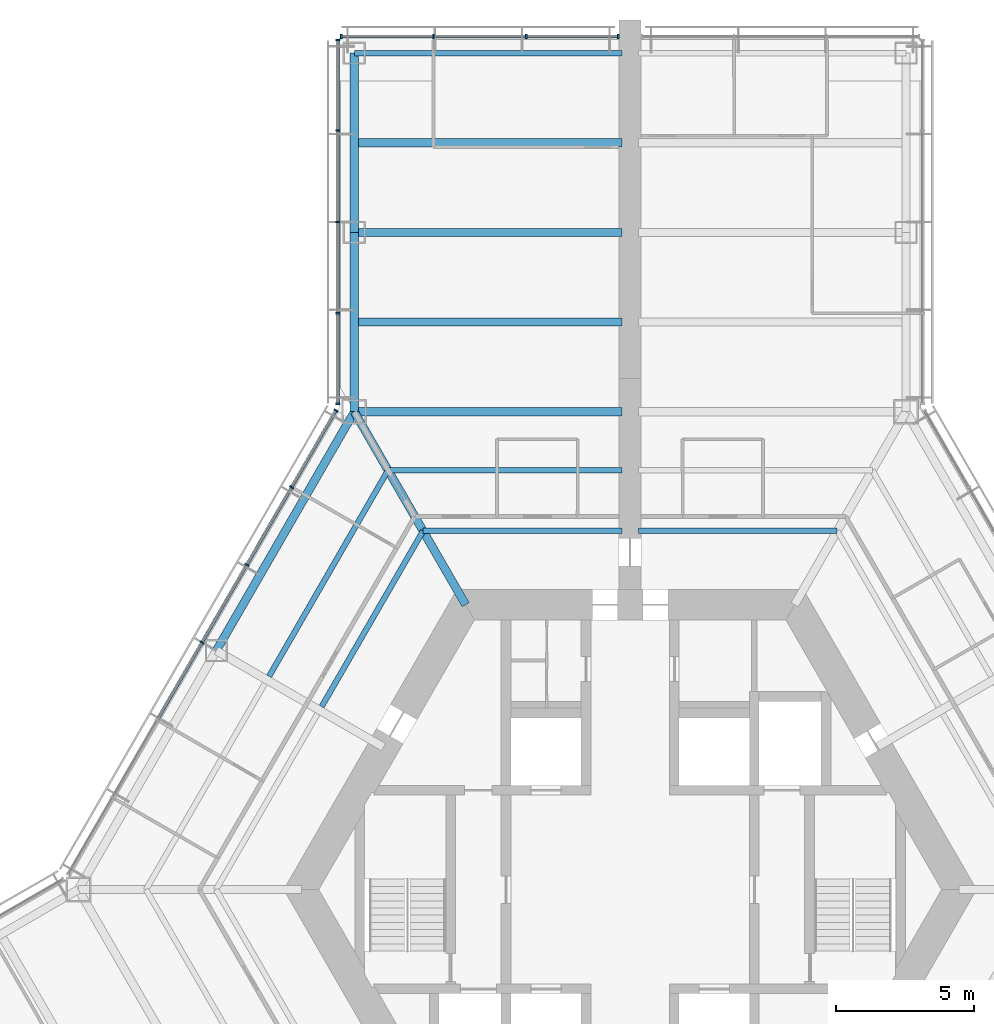
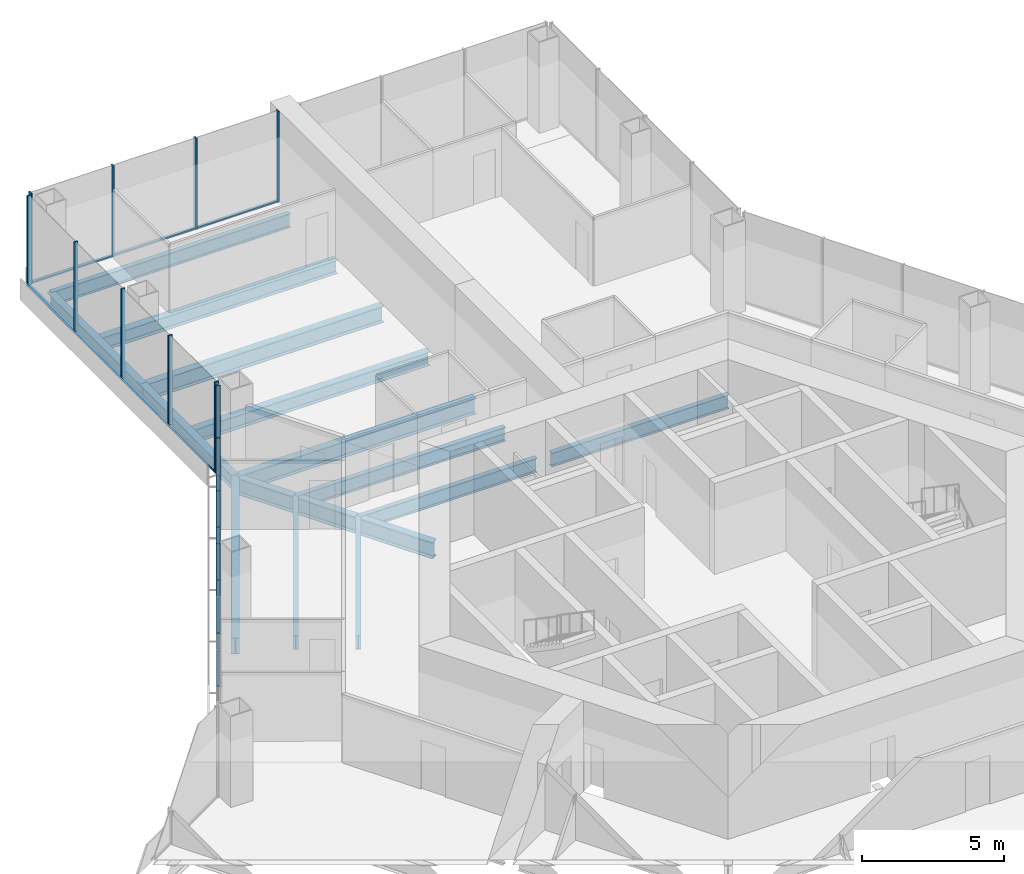
# One storey, part 7 of 18: 24 members, 14 beams, 3 elements without a shape of their own.
"""IFC4 building model written with IfcOpenShell, lengths in metres."""

from ifc_helpers import new_model, si_unit, direction, frame, origin, origin_2d, place, context, subcontext, project, spatial, rectangle, i_section, extrude, material, material_profile, profile_set, type_object, element, aggregate, save


model = new_model("IFC4")

# Units and contexts
model_context = context("Model", 3, precision=1e-05, world=origin(), true_north=direction((0.0, 1.0)))
body_context = subcontext(model_context, "Body", "Model", "MODEL_VIEW")
ifc_project = project(units=[si_unit("LENGTHUNIT", "METRE"), si_unit("AREAUNIT", "SQUARE_METRE"), si_unit("VOLUMEUNIT", "CUBIC_METRE"), si_unit("PLANEANGLEUNIT", "RADIAN"), si_unit("MASSUNIT", "GRAM", prefix="KILO")], contexts=[model_context])

# Site, building, storey
site_placement = place(None, origin())
site = spatial("IfcSite", under=ifc_project, at=site_placement, CompositionType="ELEMENT")
building_placement = place(site_placement, origin())
building = spatial("IfcBuilding", under=site, at=building_placement, Name="Kasaneha Research Tower", CompositionType="ELEMENT")
storey_placement = place(building_placement, frame((0.0, 0.0, 72.89990234375)))
storey = spatial("IfcBuildingStorey", under=building, at=storey_placement, Name="L18", CompositionType="ELEMENT", Elevation=72.89990234375)

# Beams
ifc_material_1 = material(Name="Steel SN490B", Category="steel")
ifc_material_profile_1 = material_profile(ifc_material_1, i_section(OverallWidth=0.199951171875, OverallDepth=0.60009765625, WebThickness=0.010986328125, FlangeThickness=0.01708984375, FilletRadius=0.012939453125, at=origin_2d()), Name="H-600x200x11x17")
ifc_profile_set_1 = profile_set([ifc_material_profile_1], Name="Steel SN490B")
beam_type_1 = type_object("IfcBeamType", Name="B1-3 secondary beam H-600x200x11x17", PredefinedType="JOIST", material=ifc_profile_set_1)
for number, where, z_axis, x_axis, name in (
    (1, (7.505615234375, 13.0, -0.449951171875), (-1.0, 0.0, 0.0), (0.0, -1.0, 0.0), "Secondary beam RS090L1 L18"),
    (2, (-7.505615234375, 13.0, -0.449951171875), (1.0, 0.0, 0.0), (0.0, 1.0, 0.0), "Secondary beam RS090R1 L18"),
):
    element("IfcBeam", number, at=place(storey_placement, frame(where, z_axis=z_axis, x_axis=x_axis)), inside=storey, type_object=beam_type_1, Name=name, PredefinedType="JOIST", context=body_context, shape_type="SweptSolid", body=[
        extrude(i_section(OverallWidth=0.199951171875, OverallDepth=0.60009765625, WebThickness=0.010986328125, FlangeThickness=0.01708984375, FilletRadius=0.012939453125, at=origin_2d()), origin(), (0.0, 0.0, 1.0), 7.20556640625),
    ])
beam_1_placement = place(storey_placement, frame((-8.775634765625, 15.199951171875, -0.449951171875), z_axis=(1.0, 0.0, 0.0), x_axis=(0.0, 1.0, 0.0)))
element("IfcBeam", 3, at=beam_1_placement, inside=storey, type_object=beam_type_1, Name="Secondary beam RS090R2 L18", PredefinedType="JOIST", context=body_context, shape_type="SweptSolid", body=[
    extrude(i_section(OverallWidth=0.199951171875, OverallDepth=0.60009765625, WebThickness=0.010986328125, FlangeThickness=0.01708984375, FilletRadius=0.012939453125, at=origin_2d()), origin(), (0.0, 0.0, 1.0), 8.4755859375),
])
beam_2_placement = place(storey_placement, frame((-7.505615234375, 13.0, -0.449951171875), z_axis=(-0.499994443168, -0.866028611999, 0.0), x_axis=(0.866028611999, -0.499994443168, 0.0)))
element("IfcBeam", 4, at=beam_2_placement, inside=storey, type_object=beam_type_1, Name="Secondary beam RS150L1 L18", PredefinedType="JOIST", context=body_context, shape_type="SweptSolid", body=[
    extrude(i_section(OverallWidth=0.199951171875, OverallDepth=0.60009765625, WebThickness=0.010986328125, FlangeThickness=0.01708984375, FilletRadius=0.012939453125, at=origin_2d()), origin(), (0.0, 0.0, 1.0), 7.35546875),
])
beam_3_placement = place(storey_placement, frame((-8.775634765625, 15.199951171875, -0.449951171875), z_axis=(-0.500017275495, -0.866015429543, 0.0), x_axis=(0.866015429543, -0.500017275495, 0.0)))
element("IfcBeam", 5, at=beam_3_placement, inside=storey, type_object=beam_type_1, Name="Secondary beam RS150L2 L18", PredefinedType="JOIST", context=body_context, shape_type="SweptSolid", body=[
    extrude(i_section(OverallWidth=0.199951171875, OverallDepth=0.60009765625, WebThickness=0.010986328125, FlangeThickness=0.01708984375, FilletRadius=0.012939453125, at=origin_2d()), origin(), (0.0, 0.0, 1.0), 8.625732421875),
])
ifc_material_2 = material(Name="Steel SN490B", Category="steel")
ifc_material_profile_2 = material_profile(ifc_material_2, i_section(OverallWidth=0.300048828125, OverallDepth=0.58203125, WebThickness=0.011962890625, FlangeThickness=0.01708984375, FilletRadius=0.012939453125, at=origin_2d()), Name="H-582x300x12x17")
ifc_profile_set_2 = profile_set([ifc_material_profile_2], Name="Steel SN490B")
beam_type_2 = type_object("IfcBeamType", Name="B2-3 secondary beam H-582x300x12x17", PredefinedType="JOIST", material=ifc_profile_set_2)
for number, where, z_axis, x_axis, name in (
    (6, (-10.0, 20.570556640625, -0.44091796875), (1.0, 0.0, 0.0), (0.0, 1.0, 0.0), "Secondary beam WBAN1 L18"),
    (7, (-10.0, 27.070556640625, -0.44091796875), (1.0, 0.0, 0.0), (0.0, 1.0, 0.0), "Secondary beam WBAN2 L18"),
):
    element("IfcBeam", number, at=place(storey_placement, frame(where, z_axis=z_axis, x_axis=x_axis)), inside=storey, type_object=beam_type_2, Name=name, PredefinedType="JOIST", context=body_context, shape_type="SweptSolid", body=[
        extrude(i_section(OverallWidth=0.300048828125, OverallDepth=0.58203125, WebThickness=0.011962890625, FlangeThickness=0.01708984375, FilletRadius=0.012939453125, at=origin_2d()), origin(), (0.0, 0.0, 1.0), 9.699951171875),
    ])

# Curtain wall, members
ifc_material_3 = material(Name="Glass and aluminium", Category="aluminium")
curtain_wall_type = type_object("IfcCurtainWallType", Name="Low-rise office curtain wall", PredefinedType="USERDEFINED", material=ifc_material_3)
curtain_wall_1_placement = place(storey_placement, origin())
curtain_wall_1 = element("IfcCurtainWall", 8, at=curtain_wall_1_placement, inside=storey, type_object=curtain_wall_type, Name="CW-O1 L18 run 10a", ObjectType="UNITISED CURTAIN WALL", PredefinedType="USERDEFINED")
ifc_material_4 = material(Name="Aluminium 6063-T6", Category="aluminium")
ifc_material_profile_3 = material_profile(ifc_material_4, rectangle(XDim=0.06005859375, YDim=0.159912109375, at=origin_2d()), Name="CW-O1 mullion 60x160")
ifc_profile_set_3 = profile_set([ifc_material_profile_3], Name="Aluminium 6063-T6")
member_type_1 = type_object("IfcMemberType", Name="CW-O1 mullion", PredefinedType="MULLION", material=ifc_profile_set_3)
member_1_placement = place(storey_placement, frame((-0.429931640625, 30.92041015625, 0.0), z_axis=(0.0, 0.0, 1.0), x_axis=(-1.0, 0.0, 0.0)))
member_1 = element("IfcMember", 9, at=member_1_placement, type_object=member_type_1, Name="CW-O1 mullion 1", PredefinedType="MULLION", context=body_context, shape_type="SweptSolid", body=[
    extrude(rectangle(XDim=0.06005859375, YDim=0.159912109375, at=origin_2d()), origin(), (0.0, 0.0, 1.0), 3.900146484375),
])
member_2_placement = place(storey_placement, frame((-3.7666015625, 30.92041015625, 0.0), z_axis=(0.0, 0.0, 1.0), x_axis=(-1.0, 0.0, 0.0)))
member_2 = element("IfcMember", 10, at=member_2_placement, type_object=member_type_1, Name="CW-O1 mullion 2", PredefinedType="MULLION", context=body_context, shape_type="SweptSolid", body=[
    extrude(rectangle(XDim=0.06005859375, YDim=0.159912109375, at=origin_2d()), origin(), (0.0, 0.0, 1.0), 3.900146484375),
])
member_3_placement = place(storey_placement, frame((-7.13330078125, 30.92041015625, 0.0), z_axis=(0.0, 0.0, 1.0), x_axis=(-1.0, 0.0, 0.0)))
member_3 = element("IfcMember", 11, at=member_3_placement, type_object=member_type_1, Name="CW-O1 mullion 3", PredefinedType="MULLION", context=body_context, shape_type="SweptSolid", body=[
    extrude(rectangle(XDim=0.06005859375, YDim=0.159912109375, at=origin_2d()), origin(), (0.0, 0.0, 1.0), 3.900146484375),
])
member_4_placement = place(storey_placement, frame((-10.469970703125, 30.92041015625, 0.0), z_axis=(0.0, 0.0, 1.0), x_axis=(-1.0, 0.0, 0.0)))
member_4 = element("IfcMember", 12, at=member_4_placement, type_object=member_type_1, Name="CW-O1 mullion 4", PredefinedType="MULLION", context=body_context, shape_type="SweptSolid", body=[
    extrude(rectangle(XDim=0.06005859375, YDim=0.159912109375, at=origin_2d()), origin(), (0.0, 0.0, 1.0), 3.900146484375),
])

curtain_wall_2_placement = place(storey_placement, origin())
curtain_wall_2 = element("IfcCurtainWall", 13, at=curtain_wall_2_placement, inside=storey, type_object=curtain_wall_type, Name="CW-O1 L18 run 11a", ObjectType="UNITISED CURTAIN WALL", PredefinedType="USERDEFINED")
member_5_placement = place(storey_placement, frame((-10.60009765625, 30.79052734375, 0.0), z_axis=(0.0, 0.0, 1.0), x_axis=(0.0, -1.0, 0.0)))
member_5 = element("IfcMember", 14, at=member_5_placement, type_object=member_type_1, Name="CW-O1 mullion 1", PredefinedType="MULLION", context=body_context, shape_type="SweptSolid", body=[
    extrude(rectangle(XDim=0.06005859375, YDim=0.159912109375, at=origin_2d()), origin(), (0.0, 0.0, 1.0), 3.900146484375),
])
member_6_placement = place(storey_placement, frame((-10.60009765625, 27.5107421875, 0.0), z_axis=(0.0, 0.0, 1.0), x_axis=(0.0, -1.0, 0.0)))
member_6 = element("IfcMember", 15, at=member_6_placement, type_object=member_type_1, Name="CW-O1 mullion 2", PredefinedType="MULLION", context=body_context, shape_type="SweptSolid", body=[
    extrude(rectangle(XDim=0.06005859375, YDim=0.159912109375, at=origin_2d()), origin(), (0.0, 0.0, 1.0), 3.900146484375),
])
member_7_placement = place(storey_placement, frame((-10.60009765625, 24.200927734375, 0.0), z_axis=(0.0, 0.0, 1.0), x_axis=(0.0, -1.0, 0.0)))
member_7 = element("IfcMember", 16, at=member_7_placement, type_object=member_type_1, Name="CW-O1 mullion 3", PredefinedType="MULLION", context=body_context, shape_type="SweptSolid", body=[
    extrude(rectangle(XDim=0.06005859375, YDim=0.159912109375, at=origin_2d()), origin(), (0.0, 0.0, 1.0), 3.900146484375),
])
member_8_placement = place(storey_placement, frame((-10.60009765625, 20.89111328125, 0.0), z_axis=(0.0, 0.0, 1.0), x_axis=(0.0, -1.0, 0.0)))
member_8 = element("IfcMember", 17, at=member_8_placement, type_object=member_type_1, Name="CW-O1 mullion 4", PredefinedType="MULLION", context=body_context, shape_type="SweptSolid", body=[
    extrude(rectangle(XDim=0.06005859375, YDim=0.159912109375, at=origin_2d()), origin(), (0.0, 0.0, 1.0), 3.900146484375),
])
member_9_placement = place(storey_placement, frame((-10.60009765625, 17.611328125, 0.0), z_axis=(0.0, 0.0, 1.0), x_axis=(0.0, -1.0, 0.0)))
member_9 = element("IfcMember", 18, at=member_9_placement, type_object=member_type_1, Name="CW-O1 mullion 5", PredefinedType="MULLION", context=body_context, shape_type="SweptSolid", body=[
    extrude(rectangle(XDim=0.06005859375, YDim=0.159912109375, at=origin_2d()), origin(), (0.0, 0.0, 1.0), 3.900146484375),
])

curtain_wall_3_placement = place(storey_placement, origin())
curtain_wall_3 = element("IfcCurtainWall", 19, at=curtain_wall_3_placement, inside=storey, type_object=curtain_wall_type, Name="CW-O1 L18 run 12a", ObjectType="UNITISED CURTAIN WALL", PredefinedType="USERDEFINED")
member_10_placement = place(storey_placement, frame((-10.6650390625, 17.36865234375, 0.0), z_axis=(0.0, 0.0, 1.0), x_axis=(-0.49999996188, -0.866025425793, 0.0)))
member_10 = element("IfcMember", 20, at=member_10_placement, type_object=member_type_1, Name="CW-O1 mullion 1", PredefinedType="MULLION", context=body_context, shape_type="SweptSolid", body=[
    extrude(rectangle(XDim=0.06005859375, YDim=0.159912109375, at=origin_2d()), origin(), (0.0, 0.0, 1.0), 3.900146484375),
])
member_11_placement = place(storey_placement, frame((-12.273193359375, 14.583251953125, 0.0), z_axis=(0.0, 0.0, 1.0), x_axis=(-0.49999996188, -0.866025425793, 0.0)))
member_11 = element("IfcMember", 21, at=member_11_placement, type_object=member_type_1, Name="CW-O1 mullion 2", PredefinedType="MULLION", context=body_context, shape_type="SweptSolid", body=[
    extrude(rectangle(XDim=0.06005859375, YDim=0.159912109375, at=origin_2d()), origin(), (0.0, 0.0, 1.0), 3.900146484375),
])
member_12_placement = place(storey_placement, frame((-13.896484375, 11.771728515625, 0.0), z_axis=(0.0, 0.0, 1.0), x_axis=(-0.49999996188, -0.866025425793, 0.0)))
member_12 = element("IfcMember", 22, at=member_12_placement, type_object=member_type_1, Name="CW-O1 mullion 3", PredefinedType="MULLION", context=body_context, shape_type="SweptSolid", body=[
    extrude(rectangle(XDim=0.06005859375, YDim=0.159912109375, at=origin_2d()), origin(), (0.0, 0.0, 1.0), 3.900146484375),
])
member_13_placement = place(storey_placement, frame((-15.51953125, 8.960205078125, 0.0), z_axis=(0.0, 0.0, 1.0), x_axis=(-0.49999996188, -0.866025425793, 0.0)))
member_13 = element("IfcMember", 23, at=member_13_placement, type_object=member_type_1, Name="CW-O1 mullion 4", PredefinedType="MULLION", context=body_context, shape_type="SweptSolid", body=[
    extrude(rectangle(XDim=0.06005859375, YDim=0.159912109375, at=origin_2d()), origin(), (0.0, 0.0, 1.0), 3.900146484375),
])

# Member
ifc_material_5 = material(Name="Aluminium 6063-T6", Category="aluminium")
ifc_material_profile_4 = material_profile(ifc_material_5, rectangle(XDim=0.1201171875, YDim=0.06005859375, at=origin_2d()), Name="CW-O1 transom 120x60")
ifc_profile_set_4 = profile_set([ifc_material_profile_4], Name="Aluminium 6063-T6")
member_type_2 = type_object("IfcMemberType", Name="CW-O1 transom", PredefinedType="USERDEFINED", material=ifc_profile_set_4)
member_14_placement = place(storey_placement, frame((-0.4599609375, 30.92041015625, 0.030029296875), z_axis=(-1.0, 0.0, 0.0), x_axis=(0.0, -1.0, 0.0)))
member_14 = element("IfcMember", 24, at=member_14_placement, type_object=member_type_2, Name="CW-O1 transom 1", ObjectType="TRANSOM", PredefinedType="USERDEFINED", context=body_context, shape_type="SweptSolid", body=[
    extrude(rectangle(XDim=0.1201171875, YDim=0.06005859375, at=origin_2d()), origin(), (0.0, 0.0, 1.0), 3.276611328125),
])

member_15_placement = place(storey_placement, frame((-3.796630859375, 30.92041015625, 0.030029296875), z_axis=(-1.0, 0.0, 0.0), x_axis=(0.0, -1.0, 0.0)))
member_15 = element("IfcMember", 25, at=member_15_placement, type_object=member_type_2, Name="CW-O1 transom 2", ObjectType="TRANSOM", PredefinedType="USERDEFINED", context=body_context, shape_type="SweptSolid", body=[
    extrude(rectangle(XDim=0.1201171875, YDim=0.06005859375, at=origin_2d()), origin(), (0.0, 0.0, 1.0), 3.306640625),
])

member_16_placement = place(storey_placement, frame((-7.163330078125, 30.92041015625, 0.030029296875), z_axis=(-1.0, 0.0, 0.0), x_axis=(0.0, -1.0, 0.0)))
member_16 = element("IfcMember", 26, at=member_16_placement, type_object=member_type_2, Name="CW-O1 transom 3", ObjectType="TRANSOM", PredefinedType="USERDEFINED", context=body_context, shape_type="SweptSolid", body=[
    extrude(rectangle(XDim=0.1201171875, YDim=0.06005859375, at=origin_2d()), origin(), (0.0, 0.0, 1.0), 3.276611328125),
])

aggregate(curtain_wall_1, [member_1, member_2, member_3, member_4, member_14, member_15, member_16])

member_17_placement = place(storey_placement, frame((-10.60009765625, 30.760498046875, 0.030029296875), z_axis=(0.0, -1.0, 0.0), x_axis=(1.0, 0.0, 0.0)))
member_17 = element("IfcMember", 27, at=member_17_placement, type_object=member_type_2, Name="CW-O1 transom 1", ObjectType="TRANSOM", PredefinedType="USERDEFINED", context=body_context, shape_type="SweptSolid", body=[
    extrude(rectangle(XDim=0.1201171875, YDim=0.06005859375, at=origin_2d()), origin(), (0.0, 0.0, 1.0), 3.2197265625),
])

member_18_placement = place(storey_placement, frame((-10.60009765625, 27.480712890625, 0.030029296875), z_axis=(0.0, -1.0, 0.0), x_axis=(1.0, 0.0, 0.0)))
member_18 = element("IfcMember", 28, at=member_18_placement, type_object=member_type_2, Name="CW-O1 transom 2", ObjectType="TRANSOM", PredefinedType="USERDEFINED", context=body_context, shape_type="SweptSolid", body=[
    extrude(rectangle(XDim=0.1201171875, YDim=0.06005859375, at=origin_2d()), origin(), (0.0, 0.0, 1.0), 3.249755859375),
])

member_19_placement = place(storey_placement, frame((-10.60009765625, 24.1708984375, 0.030029296875), z_axis=(0.0, -1.0, 0.0), x_axis=(1.0, 0.0, 0.0)))
member_19 = element("IfcMember", 29, at=member_19_placement, type_object=member_type_2, Name="CW-O1 transom 3", ObjectType="TRANSOM", PredefinedType="USERDEFINED", context=body_context, shape_type="SweptSolid", body=[
    extrude(rectangle(XDim=0.1201171875, YDim=0.06005859375, at=origin_2d()), origin(), (0.0, 0.0, 1.0), 3.249755859375),
])

member_20_placement = place(storey_placement, frame((-10.60009765625, 20.861083984375, 0.030029296875), z_axis=(0.0, -1.0, 0.0), x_axis=(1.0, 0.0, 0.0)))
member_20 = element("IfcMember", 30, at=member_20_placement, type_object=member_type_2, Name="CW-O1 transom 4", ObjectType="TRANSOM", PredefinedType="USERDEFINED", context=body_context, shape_type="SweptSolid", body=[
    extrude(rectangle(XDim=0.1201171875, YDim=0.06005859375, at=origin_2d()), origin(), (0.0, 0.0, 1.0), 3.2197265625),
])

aggregate(curtain_wall_2, [member_5, member_6, member_7, member_8, member_9, member_17, member_18, member_19, member_20])

member_21_placement = place(storey_placement, frame((-10.679931640625, 17.3427734375, 0.030029296875), z_axis=(-0.500023726918, -0.866011704609, 0.0), x_axis=(0.866011704609, -0.500023726918, 0.0)))
member_21 = element("IfcMember", 31, at=member_21_placement, type_object=member_type_2, Name="CW-O1 transom 1", ObjectType="TRANSOM", PredefinedType="USERDEFINED", context=body_context, shape_type="SweptSolid", body=[
    extrude(rectangle(XDim=0.1201171875, YDim=0.06005859375, at=origin_2d()), origin(), (0.0, 0.0, 1.0), 3.156494140625),
])

member_22_placement = place(storey_placement, frame((-12.2880859375, 14.55712890625, 0.030029296875), z_axis=(-0.500012062035, -0.866018439653, 0.0), x_axis=(0.866018439653, -0.500012062035, 0.0)))
member_22 = element("IfcMember", 32, at=member_22_placement, type_object=member_type_2, Name="CW-O1 transom 2", ObjectType="TRANSOM", PredefinedType="USERDEFINED", context=body_context, shape_type="SweptSolid", body=[
    extrude(rectangle(XDim=0.1201171875, YDim=0.06005859375, at=origin_2d()), origin(), (0.0, 0.0, 1.0), 3.1865234375),
])

member_23_placement = place(storey_placement, frame((-13.911376953125, 11.745849609375, 0.030029296875), z_axis=(-0.500012062035, -0.866018439653, 0.0), x_axis=(0.866018439653, -0.500012062035, 0.0)))
member_23 = element("IfcMember", 33, at=member_23_placement, type_object=member_type_2, Name="CW-O1 transom 3", ObjectType="TRANSOM", PredefinedType="USERDEFINED", context=body_context, shape_type="SweptSolid", body=[
    extrude(rectangle(XDim=0.1201171875, YDim=0.06005859375, at=origin_2d()), origin(), (0.0, 0.0, 1.0), 3.1865234375),
])

member_24_placement = place(storey_placement, frame((-15.53466796875, 8.934326171875, 0.030029296875), z_axis=(-0.500012062035, -0.866018439653, 0.0), x_axis=(0.866018439653, -0.500012062035, 0.0)))
member_24 = element("IfcMember", 34, at=member_24_placement, type_object=member_type_2, Name="CW-O1 transom 4", ObjectType="TRANSOM", PredefinedType="USERDEFINED", context=body_context, shape_type="SweptSolid", body=[
    extrude(rectangle(XDim=0.1201171875, YDim=0.06005859375, at=origin_2d()), origin(), (0.0, 0.0, 1.0), 3.1865234375),
])

aggregate(curtain_wall_3, [member_10, member_11, member_12, member_13, member_21, member_22, member_23, member_24])

# Beams
ifc_material_6 = material(Name="Steel SN490B", Category="steel")
ifc_material_profile_5 = material_profile(ifc_material_6, i_section(OverallWidth=0.300048828125, OverallDepth=0.699951171875, WebThickness=0.012939453125, FlangeThickness=0.02392578125, FilletRadius=0.01806640625, at=origin_2d()), Name="H-700x300x13x24")
ifc_profile_set_5 = profile_set([ifc_material_profile_5], Name="Steel SN490B")
beam_type_3 = type_object("IfcBeamType", Name="G1-3 radial girder H-700x300x13x24", PredefinedType="BEAM", material=ifc_profile_set_5)
beam_4_placement = place(storey_placement, frame((-5.961181640625, 10.324951171875, -0.5), z_axis=(-0.49999105496, 0.866030568144, 0.0), x_axis=(-0.866030568144, -0.49999105496, 0.0)))
element("IfcBeam", 35, at=beam_4_placement, inside=storey, type_object=beam_type_3, Name="Radial girder RV120 L18", PredefinedType="BEAM", context=body_context, shape_type="SweptSolid", body=[
    extrude(i_section(OverallWidth=0.300048828125, OverallDepth=0.699951171875, WebThickness=0.012939453125, FlangeThickness=0.02392578125, FilletRadius=0.01806640625, at=origin_2d()), origin(), (0.0, 0.0, 1.0), 8.077880859375),
])
ifc_material_7 = material(Name="Steel SN490B", Category="steel")
ifc_material_profile_6 = material_profile(ifc_material_7, i_section(OverallWidth=0.300048828125, OverallDepth=0.69189453125, WebThickness=0.012939453125, FlangeThickness=0.02001953125, FilletRadius=0.01806640625, at=origin_2d()), Name="H-692x300x13x20")
ifc_profile_set_6 = profile_set([ifc_material_profile_6], Name="Steel SN490B")
beam_type_4 = type_object("IfcBeamType", Name="G3-3 plate edge girder H-692x300x13x20", PredefinedType="BEAM", material=ifc_profile_set_6)
beam_5_placement = place(storey_placement, frame((-10.0, 17.320556640625, -0.495849609375), z_axis=(1.0, 0.0, 0.0), x_axis=(0.0, 1.0, 0.0)))
element("IfcBeam", 36, at=beam_5_placement, inside=storey, type_object=beam_type_4, Name="Plate edge girder PEAN L18", PredefinedType="BEAM", context=body_context, shape_type="SweptSolid", body=[
    extrude(i_section(OverallWidth=0.300048828125, OverallDepth=0.69189453125, WebThickness=0.012939453125, FlangeThickness=0.02001953125, FilletRadius=0.01806640625, at=origin_2d()), origin(), (0.0, 0.0, 1.0), 9.699951171875),
])
ifc_material_8 = material(Name="Steel SN490B", Category="steel")
ifc_material_profile_7 = material_profile(ifc_material_8, i_section(OverallWidth=0.300048828125, OverallDepth=0.699951171875, WebThickness=0.012939453125, FlangeThickness=0.02392578125, FilletRadius=0.01806640625, at=origin_2d()), Name="H-700x300x13x24")
ifc_profile_set_7 = profile_set([ifc_material_profile_7], Name="Steel SN490B")
beam_type_5 = type_object("IfcBeamType", Name="G4-3 wing girder H-700x300x13x24", PredefinedType="BEAM", material=ifc_profile_set_7)
beam_6_placement = place(storey_placement, frame((-10.0, 23.820556640625, -0.5), z_axis=(1.0, 0.0, 0.0), x_axis=(0.0, 1.0, 0.0)))
element("IfcBeam", 37, at=beam_6_placement, inside=storey, type_object=beam_type_5, Name="Wing girder WGAN L18", PredefinedType="BEAM", context=body_context, shape_type="SweptSolid", body=[
    extrude(i_section(OverallWidth=0.300048828125, OverallDepth=0.699951171875, WebThickness=0.012939453125, FlangeThickness=0.02392578125, FilletRadius=0.01806640625, at=origin_2d()), origin(), (0.0, 0.0, 1.0), 9.699951171875),
])
ifc_material_9 = material(Name="Steel SN490B", Category="steel")
ifc_material_profile_8 = material_profile(ifc_material_9, i_section(OverallWidth=0.300048828125, OverallDepth=0.69189453125, WebThickness=0.012939453125, FlangeThickness=0.02001953125, FilletRadius=0.01806640625, at=origin_2d()), Name="H-692x300x13x20")
ifc_profile_set_8 = profile_set([ifc_material_profile_8], Name="Steel SN490B")
beam_type_6 = type_object("IfcBeamType", Name="SB1-3 spandrel beam H-692x300x13x20", PredefinedType="SPANDREL", material=ifc_profile_set_8)
beam_7_placement = place(storey_placement, frame((-10.0, 17.320556640625, -0.495849609375), z_axis=(-0.499993662806, -0.866029062534, 0.0), x_axis=(0.866029062534, -0.499993662806, 0.0)))
element("IfcBeam", 38, at=beam_7_placement, inside=storey, type_object=beam_type_6, Name="Spandrel beam SR150L L18", PredefinedType="SPANDREL", context=body_context, shape_type="SweptSolid", body=[
    extrude(i_section(OverallWidth=0.300048828125, OverallDepth=0.69189453125, WebThickness=0.012939453125, FlangeThickness=0.02001953125, FilletRadius=0.01806640625, at=origin_2d()), origin(), (0.0, 0.0, 1.0), 10.000244140625),
])
ifc_material_10 = material(Name="Steel SN490B", Category="steel")
ifc_material_profile_9 = material_profile(ifc_material_10, i_section(OverallWidth=0.300048828125, OverallDepth=0.58203125, WebThickness=0.011962890625, FlangeThickness=0.01708984375, FilletRadius=0.012939453125, at=origin_2d()), Name="H-582x300x12x17")
ifc_profile_set_9 = profile_set([ifc_material_profile_9], Name="Steel SN490B")
beam_type_7 = type_object("IfcBeamType", Name="SB2-3 spandrel beam H-582x300x12x17", PredefinedType="SPANDREL", material=ifc_profile_set_9)
for number, where, z_axis, x_axis, name in (
    (39, (-10.0, 17.320556640625, -0.44091796875), (0.0, 1.0, 0.0), (-1.0, 0.0, 0.0), "Spandrel beam WSAN1 L18"),
    (40, (-10.0, 23.820556640625, -0.44091796875), (0.0, 1.0, 0.0), (-1.0, 0.0, 0.0), "Spandrel beam WSAN2 L18"),
):
    element("IfcBeam", number, at=place(storey_placement, frame(where, z_axis=z_axis, x_axis=x_axis)), inside=storey, type_object=beam_type_7, Name=name, PredefinedType="SPANDREL", context=body_context, shape_type="SweptSolid", body=[
        extrude(i_section(OverallWidth=0.300048828125, OverallDepth=0.58203125, WebThickness=0.011962890625, FlangeThickness=0.01708984375, FilletRadius=0.012939453125, at=origin_2d()), origin(), (0.0, 0.0, 1.0), 6.5),
    ])
ifc_material_11 = material(Name="Steel SN490B", Category="steel")
ifc_material_profile_10 = material_profile(ifc_material_11, i_section(OverallWidth=0.199951171875, OverallDepth=0.60009765625, WebThickness=0.010986328125, FlangeThickness=0.01708984375, FilletRadius=0.012939453125, at=origin_2d()), Name="H-600x200x11x17")
ifc_profile_set_10 = profile_set([ifc_material_profile_10], Name="Steel SN490B")
beam_type_8 = type_object("IfcBeamType", Name="SB3-3 spandrel beam H-600x200x11x17", PredefinedType="SPANDREL", material=ifc_profile_set_10)
beam_8_placement = place(storey_placement, frame((-10.0, 30.320556640625, -0.449951171875), z_axis=(1.0, 0.0, 0.0), x_axis=(0.0, 1.0, 0.0)))
element("IfcBeam", 41, at=beam_8_placement, inside=storey, type_object=beam_type_8, Name="Spandrel beam WTAN L18", PredefinedType="SPANDREL", context=body_context, shape_type="SweptSolid", body=[
    extrude(i_section(OverallWidth=0.199951171875, OverallDepth=0.60009765625, WebThickness=0.010986328125, FlangeThickness=0.01708984375, FilletRadius=0.012939453125, at=origin_2d()), origin(), (0.0, 0.0, 1.0), 9.699951171875),
])

save(model, "model.ifc")
